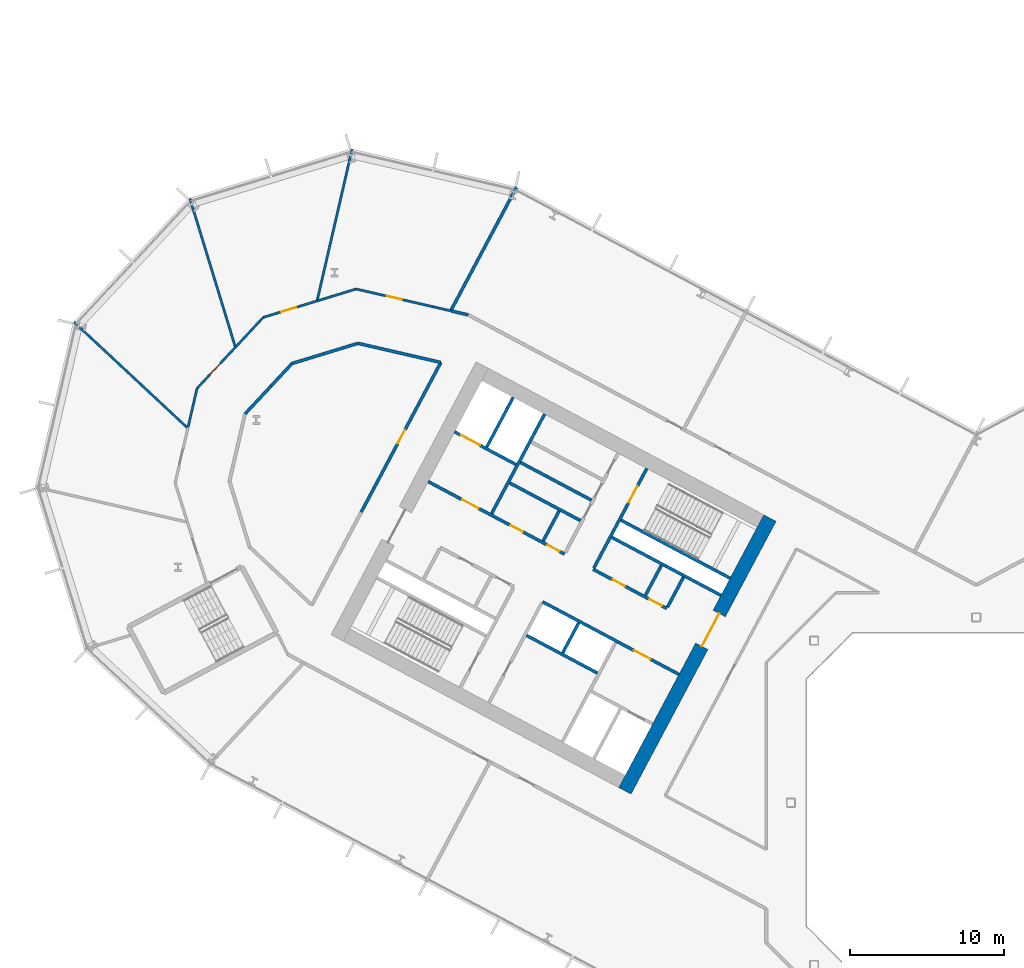
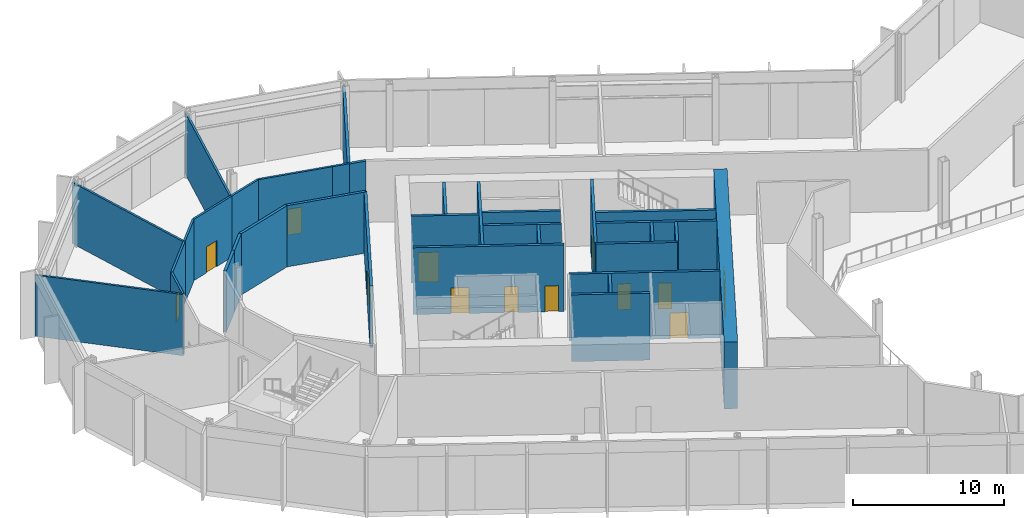
# One storey, part 13 of 30: 34 walls, 13 doors, 13 openings.
"""IFC4 building model written with IfcOpenShell, lengths in metres."""

from ifc_helpers import new_model, si_unit, direction, frame, frame_2d, origin, place, context, subcontext, project, spatial, rectangle, extrude, material, layer, layer_set, type_object, element, fill, save


model = new_model("IFC4")

# Units and contexts
model_context = context("Model", 3, precision=1e-05, world=origin(), true_north=direction((0.0, 1.0)))
body_context = subcontext(model_context, "Body", "Model", "MODEL_VIEW")
ifc_project = project(units=[si_unit("LENGTHUNIT", "METRE"), si_unit("AREAUNIT", "SQUARE_METRE"), si_unit("VOLUMEUNIT", "CUBIC_METRE"), si_unit("PLANEANGLEUNIT", "RADIAN"), si_unit("MASSUNIT", "GRAM", prefix="KILO")], contexts=[model_context])

# Site, building, storey
site_placement = place(None, origin())
site = spatial("IfcSite", under=ifc_project, at=site_placement, CompositionType="ELEMENT")
building_placement = place(site_placement, origin())
building = spatial("IfcBuilding", under=site, at=building_placement, Name="Cormorant Relay Tower", CompositionType="ELEMENT")
storey_placement = place(building_placement, frame((0.0, 0.0, 55.39990234375)))
storey = spatial("IfcBuildingStorey", under=building, at=storey_placement, Name="L10", CompositionType="ELEMENT", Elevation=55.39990234375)

# Walls
ifc_material_1 = material(Name="Concrete 40 MPa", Category="concrete")
ifc_layer_1 = layer(ifc_material_1, 0.199951171875)
ifc_layer_set_1 = layer_set([ifc_layer_1], Name="Core internal wall 200")
wall_type_1 = type_object("IfcWallType", Name="Core internal wall 200", PredefinedType="SOLIDWALL", material=ifc_layer_set_1)
wall_1_placement = place(storey_placement, frame((-20.39013671875, 15.371826171875, 0.0), z_axis=(0.0, 0.0, 1.0), x_axis=(-0.4694473164, -0.882960484464, 0.0)))
element("IfcWall", 1, at=wall_1_placement, inside=storey, type_object=wall_type_1, Name="L10 core A shaft and room wall", PredefinedType="SOLIDWALL", context=body_context, shape_type="SweptSolid", body=[
    extrude(rectangle(XDim=2.199951171875, YDim=0.199951171875, at=frame_2d((1.10009765625, 0.0))), origin(), (0.0, 0.0, 1.0), 5.400146484375),
])
wall_2_placement = place(storey_placement, frame((-25.744140625, 11.64990234375, 0.0), z_axis=(0.0, 0.0, 1.0), x_axis=(-0.469487830541, -0.882938942948, 0.0)))
element("IfcWall", 2, at=wall_2_placement, inside=storey, type_object=wall_type_1, Name="L10 core A shaft and room wall", PredefinedType="SOLIDWALL", context=body_context, shape_type="SweptSolid", body=[
    extrude(rectangle(XDim=2.2001953125, YDim=0.199951171875, at=frame_2d((1.10009765625, 0.0))), origin(), (0.0, 0.0, 1.0), 5.400146484375),
])
wall_3_placement = place(storey_placement, frame((-27.01220703125, 18.892822265625, 0.0), z_axis=(0.0, 0.0, 1.0), x_axis=(-0.4694473164, -0.882960484464, 0.0)))
element("IfcWall", 3, at=wall_3_placement, inside=storey, type_object=wall_type_1, Name="L10 core A shaft and room wall", PredefinedType="SOLIDWALL", context=body_context, shape_type="SweptSolid", body=[
    extrude(rectangle(XDim=2.199951171875, YDim=0.199951171875, at=frame_2d((1.10009765625, 0.0))), origin(), (0.0, 0.0, 1.0), 5.400146484375),
])
wall_4_placement = place(storey_placement, frame((-24.9189453125, 19.592041015625, 0.0), z_axis=(0.0, 0.0, 1.0), x_axis=(-0.882953967957, 0.469459572775, 0.0)))
element("IfcWall", 4, at=wall_4_placement, inside=storey, type_object=wall_type_1, Name="L10 core A shaft and room wall", PredefinedType="SOLIDWALL", context=body_context, shape_type="SweptSolid", body=[
    extrude(rectangle(XDim=5.199951171875, YDim=0.199951171875, at=frame_2d((2.60009765625, 0.0))), origin(), (0.0, 0.0, 1.0), 5.400146484375),
])
ifc_material_2 = material(Name="Concrete 50 MPa", Category="concrete")
ifc_layer_2 = layer(ifc_material_2, 0.199951171875)
ifc_layer_set_2 = layer_set([ifc_layer_2], Name="Core shaft wall 200")
wall_type_2 = type_object("IfcWallType", Name="Core shaft wall 200", PredefinedType="SHEAR", material=ifc_layer_set_2)
wall_5_placement = place(storey_placement, frame((-18.959716796875, 14.611328125, 0.0), z_axis=(0.0, 0.0, 1.0), x_axis=(-0.4694473164, -0.882960484464, 0.0)))
element("IfcWall", 5, at=wall_5_placement, inside=storey, type_object=wall_type_2, Name="L10 core A shaft wall", PredefinedType="SHEAR", context=body_context, shape_type="SweptSolid", body=[
    extrude(rectangle(XDim=2.199951171875, YDim=0.199951171875, at=frame_2d((1.10009765625, 0.0))), origin(), (0.0, 0.0, 1.0), 5.400146484375),
])

# Wall, opening, door
wall_6_placement = place(storey_placement, frame((-21.333251953125, 21.6494140625, 0.0), z_axis=(0.0, 0.0, 1.0), x_axis=(-0.469494272526, -0.882935517501, 0.0)))
wall_6 = element("IfcWall", 6, at=wall_6_placement, inside=storey, type_object=wall_type_2, Name="L10 core A shaft wall", PredefinedType="SHEAR", context=body_context, shape_type="SweptSolid", body=[
    extrude(rectangle(XDim=7.2998046875, YDim=0.199951171875, at=frame_2d((3.64990234375, 0.0))), origin(), (0.0, 0.0, 1.0), 5.400146484375),
])
opening_1_placement = place(wall_6_placement, frame((1.300048828125, 0.0, 0.0)))
opening_1 = element("IfcOpeningElement", 7, at=opening_1_placement, cuts=wall_6, Name="Opening CDB-019", PredefinedType="OPENING", context=body_context, shape_type="SweptSolid", body=[
    extrude(rectangle(XDim=1.199951171875, YDim=2.10009765625, at=frame_2d((0.60009765625, 1.050048828125))), frame((0.0, 0.10986328125, 0.0), z_axis=(0.0, -1.0, 0.0), x_axis=(1.0, 0.0, 0.0)), (0.0, 0.0, 1.0), 0.219970703125),
])
ifc_material_3 = material(Name="Steel fire door", Category="steel")
door_type_1 = type_object("IfcDoorType", Name="Core stair door 1200x2100", OperationType="SINGLE_SWING_LEFT", PredefinedType="DOOR", material=ifc_material_3)
door_1_placement = place(opening_1_placement, origin())
door_1 = element("IfcDoor", 8, at=door_1_placement, inside=storey, type_object=door_type_1, Name="Core stair door 1200x2100", OperationType="SINGLE_SWING_RIGHT", OverallHeight=2.10009765625, OverallWidth=1.199951171875, PredefinedType="DOOR", context=body_context, shape_type="SweptSolid", body=[
    extrude(rectangle(XDim=1.199951171875, YDim=2.10009765625, at=frame_2d((0.60009765625, 1.050048828125))), frame((0.0, 0.02490234375, 0.0), z_axis=(0.0, -1.0, 0.0), x_axis=(1.0, 0.0, 0.0)), (0.0, 0.0, 1.0), 0.050048828125),
])
fill(opening_1, door_1)

# Walls
wall_7_placement = place(storey_placement, frame((-27.955322265625, 25.170654296875, 0.0), z_axis=(0.0, 0.0, 1.0), x_axis=(-0.469480409012, -0.88294288918, 0.0)))
element("IfcWall", 9, at=wall_7_placement, inside=storey, type_object=wall_type_2, Name="L10 core A shaft wall", PredefinedType="SHEAR", context=body_context, shape_type="SweptSolid", body=[
    extrude(rectangle(XDim=7.300048828125, YDim=0.199951171875, at=frame_2d((3.64990234375, 0.0))), origin(), (0.0, 0.0, 1.0), 5.400146484375),
])
wall_8_placement = place(storey_placement, frame((-29.986083984375, 26.250244140625, 0.0), z_axis=(0.0, 0.0, 1.0), x_axis=(-0.469494272526, -0.882935517501, 0.0)))
element("IfcWall", 10, at=wall_8_placement, inside=storey, type_object=wall_type_2, Name="L10 core A shaft wall", PredefinedType="SHEAR", context=body_context, shape_type="SweptSolid", body=[
    extrude(rectangle(XDim=3.64990234375, YDim=0.199951171875, at=frame_2d((1.824951171875, 0.0))), origin(), (0.0, 0.0, 1.0), 5.400146484375),
])
wall_9_placement = place(storey_placement, frame((-15.94189453125, 14.53564453125, 0.0), z_axis=(0.0, 0.0, 1.0), x_axis=(-0.882946947542, 0.469472776449, 0.0)))
element("IfcWall", 11, at=wall_9_placement, inside=storey, type_object=wall_type_2, Name="L10 core A shaft wall", PredefinedType="SHEAR", context=body_context, shape_type="SweptSolid", body=[
    extrude(rectangle(XDim=8.000244140625, YDim=0.199951171875, at=frame_2d((4.0, 0.0))), origin(), (0.0, 0.0, 1.0), 5.400146484375),
])

# Wall, opening, door
wall_10_placement = place(storey_placement, frame((-29.80419921875, 21.906494140625, 0.0), z_axis=(0.0, 0.0, 1.0), x_axis=(-0.882960433586, 0.469447412093, 0.0)))
wall_10 = element("IfcWall", 12, at=wall_10_placement, inside=storey, type_object=wall_type_2, Name="L10 core A shaft wall", PredefinedType="SHEAR", context=body_context, shape_type="SweptSolid", body=[
    extrude(rectangle(XDim=4.5, YDim=0.199951171875, at=frame_2d((2.25, 0.0))), origin(), (0.0, 0.0, 1.0), 5.400146484375),
])
opening_2_placement = place(wall_10_placement, frame((2.64990234375, 0.0, 0.0)))
opening_2 = element("IfcOpeningElement", 13, at=opening_2_placement, cuts=wall_10, Name="Opening LD3-007", PredefinedType="OPENING", context=body_context, shape_type="SweptSolid", body=[
    extrude(rectangle(XDim=1.39990234375, YDim=2.39990234375, at=frame_2d((0.699951171875, 1.199951171875))), frame((0.0, 0.10986328125, 0.0), z_axis=(0.0, -1.0, 0.0), x_axis=(1.0, 0.0, 0.0)), (0.0, 0.0, 1.0), 0.219970703125),
])
ifc_material_4 = material(Name="Stainless steel 316", Category="steel")
door_type_2 = type_object("IfcDoorType", Name="Lift landing door 1400x2400", OperationType="DOUBLE_DOOR_SLIDING", PredefinedType="DOOR", material=ifc_material_4)
door_2_placement = place(opening_2_placement, origin())
door_2 = element("IfcDoor", 14, at=door_2_placement, inside=storey, type_object=door_type_2, Name="SV1 landing door", OperationType="DOUBLE_DOOR_SLIDING", OverallHeight=2.39990234375, OverallWidth=1.39990234375, PredefinedType="DOOR", context=body_context, shape_type="SweptSolid", body=[
    extrude(rectangle(XDim=1.39990234375, YDim=2.39990234375, at=frame_2d((0.699951171875, 1.199951171875))), frame((0.0, 0.02490234375, 0.0), z_axis=(0.0, -1.0, 0.0), x_axis=(1.0, 0.0, 0.0)), (0.0, 0.0, 1.0), 0.050048828125),
])
fill(opening_2, door_2)

# Walls
wall_11_placement = place(storey_placement, frame((-16.52880859375, 13.43212890625, 0.0), z_axis=(0.0, 0.0, 1.0), x_axis=(-0.88295287151, 0.469461634952, 0.0)))
element("IfcWall", 15, at=wall_11_placement, inside=storey, type_object=wall_type_2, Name="L10 core A shaft wall", PredefinedType="SHEAR", context=body_context, shape_type="SweptSolid", body=[
    extrude(rectangle(XDim=7.999755859375, YDim=0.199951171875, at=frame_2d((4.0, 0.0))), origin(), (0.0, 0.0, 1.0), 5.400146484375),
])
wall_12_placement = place(storey_placement, frame((-25.623046875, 18.267578125, 0.0), z_axis=(0.0, 0.0, 1.0), x_axis=(-0.882953967957, 0.469459572775, 0.0)))
element("IfcWall", 16, at=wall_12_placement, inside=storey, type_object=wall_type_2, Name="L10 core A shaft wall", PredefinedType="SHEAR", context=body_context, shape_type="SweptSolid", body=[
    extrude(rectangle(XDim=5.199951171875, YDim=0.199951171875, at=frame_2d((2.60009765625, 0.0))), origin(), (0.0, 0.0, 1.0), 5.400146484375),
])

# Wall, openings, doors
wall_13_placement = place(storey_placement, frame((-20.03955078125, 12.58056640625, 0.0), z_axis=(0.0, 0.0, 1.0), x_axis=(-0.882942972946, 0.469480251476, 0.0)))
wall_13 = element("IfcWall", 17, at=wall_13_placement, inside=storey, type_object=wall_type_2, Name="L10 core A shaft wall", PredefinedType="SHEAR", context=body_context, shape_type="SweptSolid", body=[
    extrude(rectangle(XDim=5.39990234375, YDim=0.199951171875, at=frame_2d((2.699951171875, 0.0))), origin(), (0.0, 0.0, 1.0), 5.400146484375),
])
opening_3_placement = place(wall_13_placement, frame((0.360107421875, 0.0, 0.0)))
opening_3 = element("IfcOpeningElement", 18, at=opening_3_placement, cuts=wall_13, Name="Opening CDD-065", PredefinedType="OPENING", context=body_context, shape_type="SweptSolid", body=[
    extrude(rectangle(XDim=0.89990234375, YDim=2.10009765625, at=frame_2d((0.449951171875, 1.050048828125))), frame((0.0, 0.10986328125, 0.0), z_axis=(0.0, -1.0, 0.0), x_axis=(1.0, 0.0, 0.0)), (0.0, 0.0, 1.0), 0.219970703125),
])
opening_4_placement = place(wall_13_placement, frame((3.06005859375, 0.0, 0.0)))
opening_4 = element("IfcOpeningElement", 19, at=opening_4_placement, cuts=wall_13, Name="Opening CDD-066", PredefinedType="OPENING", context=body_context, shape_type="SweptSolid", body=[
    extrude(rectangle(XDim=0.89990234375, YDim=2.10009765625, at=frame_2d((0.449951171875, 1.050048828125))), frame((0.0, 0.10986328125, 0.0), z_axis=(0.0, -1.0, 0.0), x_axis=(1.0, 0.0, 0.0)), (0.0, 0.0, 1.0), 0.219970703125),
])
ifc_material_5 = material(Name="Steel fire door", Category="steel")
door_type_3 = type_object("IfcDoorType", Name="Core room door 900x2100", OperationType="SINGLE_SWING_LEFT", PredefinedType="DOOR", material=ifc_material_5)
door_3_placement = place(opening_3_placement, frame((0.89990234375, 0.0, 0.0), z_axis=(0.0, 0.0, 1.0), x_axis=(-1.0, 0.0, 0.0)))
door_3 = element("IfcDoor", 20, at=door_3_placement, inside=storey, type_object=door_type_3, Name="Core room door 900x2100", OperationType="SINGLE_SWING_RIGHT", OverallHeight=2.10009765625, OverallWidth=0.89990234375, PredefinedType="DOOR", context=body_context, shape_type="SweptSolid", body=[
    extrude(rectangle(XDim=0.89990234375, YDim=2.10009765625, at=frame_2d((0.449951171875, 1.050048828125))), frame((0.0, 0.02490234375, 0.0), z_axis=(0.0, -1.0, 0.0), x_axis=(1.0, 0.0, 0.0)), (0.0, 0.0, 1.0), 0.050048828125),
])
fill(opening_3, door_3)
door_4_placement = place(opening_4_placement, frame((0.89990234375, 0.0, 0.0), z_axis=(0.0, 0.0, 1.0), x_axis=(-1.0, 0.0, 0.0)))
door_4 = element("IfcDoor", 21, at=door_4_placement, inside=storey, type_object=door_type_3, Name="Core room door 900x2100", OperationType="SINGLE_SWING_RIGHT", OverallHeight=2.10009765625, OverallWidth=0.89990234375, PredefinedType="DOOR", context=body_context, shape_type="SweptSolid", body=[
    extrude(rectangle(XDim=0.89990234375, YDim=2.10009765625, at=frame_2d((0.449951171875, 1.050048828125))), frame((0.0, 0.02490234375, 0.0), z_axis=(0.0, -1.0, 0.0), x_axis=(1.0, 0.0, 0.0)), (0.0, 0.0, 1.0), 0.050048828125),
])
fill(opening_4, door_4)

wall_14_placement = place(storey_placement, frame((-26.66162109375, 16.1015625, 0.0), z_axis=(0.0, 0.0, 1.0), x_axis=(-0.882940221191, 0.469485426614, 0.0)))
wall_14 = element("IfcWall", 22, at=wall_14_placement, inside=storey, type_object=wall_type_2, Name="L10 core A shaft wall", PredefinedType="SHEAR", context=body_context, shape_type="SweptSolid", body=[
    extrude(rectangle(XDim=10.0, YDim=0.199951171875, at=frame_2d((5.0, 0.0))), origin(), (0.0, 0.0, 1.0), 5.400146484375),
])
opening_5_placement = place(wall_14_placement, frame((6.300048828125, 0.0, 0.0)))
opening_5 = element("IfcOpeningElement", 23, at=opening_5_placement, cuts=wall_14, Name="Opening CDC-014", PredefinedType="OPENING", context=body_context, shape_type="SweptSolid", body=[
    extrude(rectangle(XDim=1.199951171875, YDim=2.10009765625, at=frame_2d((0.60009765625, 1.050048828125))), frame((0.0, 0.10986328125, 0.0), z_axis=(0.0, -1.0, 0.0), x_axis=(1.0, 0.0, 0.0)), (0.0, 0.0, 1.0), 0.219970703125),
])
opening_6_placement = place(wall_14_placement, frame((0.360107421875, 0.0, 0.0)))
opening_6 = element("IfcOpeningElement", 24, at=opening_6_placement, cuts=wall_14, Name="Opening CDD-095", PredefinedType="OPENING", context=body_context, shape_type="SweptSolid", body=[
    extrude(rectangle(XDim=0.89990234375, YDim=2.10009765625, at=frame_2d((0.449951171875, 1.050048828125))), frame((0.0, 0.10986328125, 0.0), z_axis=(0.0, -1.0, 0.0), x_axis=(1.0, 0.0, 0.0)), (0.0, 0.0, 1.0), 0.219970703125),
])
opening_7_placement = place(wall_14_placement, frame((3.06005859375, 0.0, 0.0)))
opening_7 = element("IfcOpeningElement", 25, at=opening_7_placement, cuts=wall_14, Name="Opening CDD-068", PredefinedType="OPENING", context=body_context, shape_type="SweptSolid", body=[
    extrude(rectangle(XDim=0.89990234375, YDim=2.10009765625, at=frame_2d((0.449951171875, 1.050048828125))), frame((0.0, 0.10986328125, 0.0), z_axis=(0.0, -1.0, 0.0), x_axis=(1.0, 0.0, 0.0)), (0.0, 0.0, 1.0), 0.219970703125),
])
ifc_material_6 = material(Name="Steel fire door", Category="steel")
door_type_4 = type_object("IfcDoorType", Name="Core lobby door 1200x2100", OperationType="SINGLE_SWING_LEFT", PredefinedType="DOOR", material=ifc_material_6)
door_5_placement = place(opening_5_placement, origin())
door_5 = element("IfcDoor", 26, at=door_5_placement, inside=storey, type_object=door_type_4, Name="Core lobby door 1200x2100", OperationType="SINGLE_SWING_LEFT", OverallHeight=2.10009765625, OverallWidth=1.199951171875, PredefinedType="DOOR", context=body_context, shape_type="SweptSolid", body=[
    extrude(rectangle(XDim=1.199951171875, YDim=2.10009765625, at=frame_2d((0.60009765625, 1.050048828125))), frame((0.0, 0.02490234375, 0.0), z_axis=(0.0, -1.0, 0.0), x_axis=(1.0, 0.0, 0.0)), (0.0, 0.0, 1.0), 0.050048828125),
])
fill(opening_5, door_5)
door_6_placement = place(opening_6_placement, frame((0.89990234375, 0.0, 0.0), z_axis=(0.0, 0.0, 1.0), x_axis=(-1.0, 0.0, 0.0)))
door_6 = element("IfcDoor", 27, at=door_6_placement, inside=storey, type_object=door_type_3, Name="Core room door 900x2100", OperationType="SINGLE_SWING_RIGHT", OverallHeight=2.10009765625, OverallWidth=0.89990234375, PredefinedType="DOOR", context=body_context, shape_type="SweptSolid", body=[
    extrude(rectangle(XDim=0.89990234375, YDim=2.10009765625, at=frame_2d((0.449951171875, 1.050048828125))), frame((0.0, 0.02490234375, 0.0), z_axis=(0.0, -1.0, 0.0), x_axis=(1.0, 0.0, 0.0)), (0.0, 0.0, 1.0), 0.050048828125),
])
fill(opening_6, door_6)
door_7_placement = place(opening_7_placement, frame((0.89990234375, 0.0, 0.0), z_axis=(0.0, 0.0, 1.0), x_axis=(-1.0, 0.0, 0.0)))
door_7 = element("IfcDoor", 28, at=door_7_placement, inside=storey, type_object=door_type_3, Name="Core room door 900x2100", OperationType="SINGLE_SWING_RIGHT", OverallHeight=2.10009765625, OverallWidth=0.89990234375, PredefinedType="DOOR", context=body_context, shape_type="SweptSolid", body=[
    extrude(rectangle(XDim=0.89990234375, YDim=2.10009765625, at=frame_2d((0.449951171875, 1.050048828125))), frame((0.0, 0.02490234375, 0.0), z_axis=(0.0, -1.0, 0.0), x_axis=(1.0, 0.0, 0.0)), (0.0, 0.0, 1.0), 0.050048828125),
])
fill(opening_7, door_7)

# Wall, opening, door
wall_15_placement = place(storey_placement, frame((-19.251708984375, 8.31103515625, 0.0), z_axis=(0.0, 0.0, 1.0), x_axis=(-0.882955722218, 0.469456273365, 0.0)))
wall_15 = element("IfcWall", 29, at=wall_15_placement, inside=storey, type_object=wall_type_2, Name="L10 core A shaft wall", PredefinedType="SHEAR", context=body_context, shape_type="SweptSolid", body=[
    extrude(rectangle(XDim=10.0, YDim=0.199951171875, at=frame_2d((5.0, 0.0))), origin(), (0.0, 0.0, 1.0), 5.400146484375),
])
opening_8_placement = place(wall_15_placement, frame((2.10009765625, 0.0, 0.0)))
opening_8 = element("IfcOpeningElement", 30, at=opening_8_placement, cuts=wall_15, Name="Opening CDC-013", PredefinedType="OPENING", context=body_context, shape_type="SweptSolid", body=[
    extrude(rectangle(XDim=1.199951171875, YDim=2.10009765625, at=frame_2d((0.60009765625, 1.050048828125))), frame((0.0, 0.10986328125, 0.0), z_axis=(0.0, -1.0, 0.0), x_axis=(1.0, 0.0, 0.0)), (0.0, 0.0, 1.0), 0.219970703125),
])
door_8_placement = place(opening_8_placement, origin())
door_8 = element("IfcDoor", 31, at=door_8_placement, inside=storey, type_object=door_type_4, Name="Core lobby door 1200x2100", OperationType="SINGLE_SWING_RIGHT", OverallHeight=2.10009765625, OverallWidth=1.199951171875, PredefinedType="DOOR", context=body_context, shape_type="SweptSolid", body=[
    extrude(rectangle(XDim=1.199951171875, YDim=2.10009765625, at=frame_2d((0.60009765625, 1.050048828125))), frame((0.0, 0.02490234375, 0.0), z_axis=(0.0, -1.0, 0.0), x_axis=(1.0, 0.0, 0.0)), (0.0, 0.0, 1.0), 0.050048828125),
])
fill(opening_8, door_8)

# Wall
wall_16_placement = place(storey_placement, frame((-24.5283203125, 8.3984375, 0.0), z_axis=(0.0, 0.0, 1.0), x_axis=(-0.882953967957, 0.469459572775, 0.0)))
element("IfcWall", 32, at=wall_16_placement, inside=storey, type_object=wall_type_2, Name="L10 core A shaft wall", PredefinedType="SHEAR", context=body_context, shape_type="SweptSolid", body=[
    extrude(rectangle(XDim=5.199951171875, YDim=0.199951171875, at=frame_2d((2.60009765625, 0.0))), origin(), (0.0, 0.0, 1.0), 5.400146484375),
])

# Wall, opening, door
ifc_material_7 = material(Name="Concrete 70 MPa", Category="concrete")
ifc_layer_3 = layer(ifc_material_7, 0.89990234375)
ifc_layer_set_3 = layer_set([ifc_layer_3], Name="Core wall 900")
wall_type_3 = type_object("IfcWallType", Name="Core wall 900", PredefinedType="SHEAR", material=ifc_layer_set_3)
wall_17_placement = place(storey_placement, frame((-13.361572265625, 18.43017578125, 0.0), z_axis=(0.0, 0.0, 1.0), x_axis=(-0.46947084998, -0.882947971864, 0.0)))
wall_17 = element("IfcWall", 33, at=wall_17_placement, inside=storey, type_object=wall_type_3, Name="L10 core A wall", PredefinedType="SHEAR", context=body_context, shape_type="SweptSolid", body=[
    extrude(rectangle(XDim=20.0, YDim=0.89990234375, at=frame_2d((10.0, 0.0))), origin(), (0.0, 0.0, 1.0), 5.400146484375),
])
opening_9_placement = place(wall_17_placement, frame((7.0, 0.0, 0.0)))
opening_9 = element("IfcOpeningElement", 34, at=opening_9_placement, cuts=wall_17, Name="Opening CDA-013", PredefinedType="OPENING", context=body_context, shape_type="SweptSolid", body=[
    extrude(rectangle(XDim=2.39990234375, YDim=2.39990234375, at=frame_2d((1.199951171875, 1.199951171875))), frame((0.0, 0.4599609375, 0.0), z_axis=(0.0, -1.0, 0.0), x_axis=(1.0, 0.0, 0.0)), (0.0, 0.0, 1.0), 0.919921875),
])
ifc_material_8 = material(Name="Steel fire door", Category="steel")
door_type_5 = type_object("IfcDoorType", Name="Core lobby door 2400x2400", OperationType="DOUBLE_DOOR_SINGLE_SWING", PredefinedType="DOOR", material=ifc_material_8)
door_9_placement = place(opening_9_placement, frame((2.39990234375, 0.0, 0.0), z_axis=(0.0, 0.0, 1.0), x_axis=(-1.0, 0.0, 0.0)))
door_9 = element("IfcDoor", 35, at=door_9_placement, inside=storey, type_object=door_type_5, Name="Core lobby door 2400x2400", OperationType="DOUBLE_DOOR_SINGLE_SWING", OverallHeight=2.39990234375, OverallWidth=2.39990234375, PredefinedType="DOOR", context=body_context, shape_type="SweptSolid", body=[
    extrude(rectangle(XDim=2.39990234375, YDim=2.39990234375, at=frame_2d((1.199951171875, 1.199951171875))), frame((0.0, 0.02490234375, 0.0), z_axis=(0.0, -1.0, 0.0), x_axis=(1.0, 0.0, 0.0)), (0.0, 0.0, 1.0), 0.050048828125),
])
fill(opening_9, door_9)

# Walls
ifc_material_9 = material(Name="Fire-rated gypsum board partition")
ifc_layer_4 = layer(ifc_material_9, 0.199951171875)
ifc_layer_set_4 = layer_set([ifc_layer_4], Name="Fire-rated gypsum partition 200")
wall_type_4 = type_object("IfcWallType", Name="Fire-rated gypsum partition 200", PredefinedType="PARTITIONING", material=ifc_layer_set_4)
wall_18_placement = place(storey_placement, frame((-47.35107421875, 25.177001953125, 0.0), z_axis=(0.0, 0.0, 1.0), x_axis=(0.681950982626, 0.731397878925, 0.0)))
element("IfcWall", 36, at=wall_18_placement, inside=storey, type_object=wall_type_4, Name="wall/L10/part/13", PredefinedType="PARTITIONING", context=body_context, shape_type="SweptSolid", body=[
    extrude(rectangle(XDim=2.4638671875, YDim=0.199951171875, at=frame_2d((1.23193359375, 0.0))), origin(), (0.0, 0.0, 1.0), 4.9501953125),
])
wall_19_placement = place(storey_placement, frame((-40.033935546875, 29.7490234375, 0.0), z_axis=(0.0, 0.0, 1.0), x_axis=(-0.956357512161, -0.29219909126, 0.0)))
element("IfcWall", 37, at=wall_19_placement, inside=storey, type_object=wall_type_4, Name="wall/L10/part/19", PredefinedType="PARTITIONING", context=body_context, shape_type="SweptSolid", body=[
    extrude(rectangle(XDim=4.4658203125, YDim=0.199951171875, at=frame_2d((2.23291015625, 0.0))), origin(), (0.0, 0.0, 1.0), 4.9501953125),
])
wall_20_placement = place(storey_placement, frame((-44.304931640625, 28.444091796875, 0.0), z_axis=(0.0, 0.0, 1.0), x_axis=(-0.681931663517, -0.731415891469, 0.0)))
element("IfcWall", 38, at=wall_20_placement, inside=storey, type_object=wall_type_4, Name="wall/L10/part/20", PredefinedType="PARTITIONING", context=body_context, shape_type="SweptSolid", body=[
    extrude(rectangle(XDim=2.003173828125, YDim=0.199951171875, at=frame_2d((1.00146484375, 0.0))), origin(), (0.0, 0.0, 1.0), 4.9501953125),
])
wall_21_placement = place(storey_placement, frame((-34.673095703125, 28.511962890625, 0.0), z_axis=(0.0, 0.0, 1.0), x_axis=(-0.974393439342, 0.224849784003, 0.0)))
element("IfcWall", 39, at=wall_21_placement, inside=storey, type_object=wall_type_4, Name="wall/L10/part/27", PredefinedType="PARTITIONING", context=body_context, shape_type="SweptSolid", body=[
    extrude(rectangle(XDim=5.501708984375, YDim=0.199951171875, at=frame_2d((2.7509765625, 0.0))), origin(), (0.0, 0.0, 1.0), 4.9501953125),
])

# Wall, opening, door
wall_22_placement = place(storey_placement, frame((-34.673095703125, 28.511962890625, 0.0), z_axis=(0.0, 0.0, 1.0), x_axis=(-0.469440333182, -0.882964197226, 0.0)))
wall_22 = element("IfcWall", 40, at=wall_22_placement, inside=storey, type_object=wall_type_4, Name="wall/L10/part/28", PredefinedType="PARTITIONING", context=body_context, shape_type="SweptSolid", body=[
    extrude(rectangle(XDim=10.9765625, YDim=0.199951171875, at=frame_2d((5.48828125, 0.0))), origin(), (0.0, 0.0, 1.0), 4.9501953125),
])
opening_10_placement = place(wall_22_placement, frame((4.949951171875, 0.0, 0.0)))
opening_10 = element("IfcOpeningElement", 41, at=opening_10_placement, cuts=wall_22, Name="Opening FD1-047", PredefinedType="OPENING", context=body_context, shape_type="SweptSolid", body=[
    extrude(rectangle(XDim=1.0, YDim=2.10009765625, at=frame_2d((0.5, 1.050048828125))), frame((0.0, 0.10986328125, 0.0), z_axis=(0.0, -1.0, 0.0), x_axis=(1.0, 0.0, 0.0)), (0.0, 0.0, 1.0), 0.219970703125),
])
ifc_material_10 = material(Name="Fire-rated steel door", Category="steel")
door_type_6 = type_object("IfcDoorType", Name="Fire door 1000 x 2100", OperationType="SINGLE_SWING_LEFT", PredefinedType="DOOR", material=ifc_material_10)
door_10_placement = place(opening_10_placement, frame((1.0, 0.0, 0.0), z_axis=(0.0, 0.0, 1.0), x_axis=(-1.0, 0.0, 0.0)))
door_10 = element("IfcDoor", 42, at=door_10_placement, inside=storey, type_object=door_type_6, Name="door/L10/1", OperationType="SINGLE_SWING_RIGHT", OverallHeight=2.10009765625, OverallWidth=1.0, PredefinedType="DOOR", context=body_context, shape_type="SweptSolid", body=[
    extrude(rectangle(XDim=1.0, YDim=2.10009765625, at=frame_2d((0.5, 1.050048828125))), frame((0.0, 0.02490234375, 0.0), z_axis=(0.0, -1.0, 0.0), x_axis=(1.0, 0.0, 0.0)), (0.0, 0.0, 1.0), 0.050048828125),
])
fill(opening_10, door_10)

# Walls
wall_23_placement = place(storey_placement, frame((-29.779052734375, 39.845947265625, 0.0), z_axis=(0.0, 0.0, 1.0), x_axis=(-0.469479235169, -0.882943513338, 0.0)))
element("IfcWall", 43, at=wall_23_placement, inside=storey, type_object=wall_type_4, Name="wall/L10/part/30", PredefinedType="PARTITIONING", context=body_context, shape_type="SweptSolid", body=[
    extrude(rectangle(XDim=9.052490234375, YDim=0.199951171875, at=frame_2d((4.5263671875, 0.0))), origin(), (0.0, 0.0, 1.0), 4.9501953125),
])
wall_24_placement = place(storey_placement, frame((-32.89404296875, 31.590087890625, 0.0), z_axis=(0.0, 0.0, 1.0), x_axis=(-0.97437296606, 0.22493848717, 0.0)))
element("IfcWall", 44, at=wall_24_placement, inside=storey, type_object=wall_type_4, Name="wall/L10/part/31", PredefinedType="PARTITIONING", context=body_context, shape_type="SweptSolid", body=[
    extrude(rectangle(XDim=1.128662109375, YDim=0.199951171875, at=frame_2d((0.564453125, 0.0))), origin(), (0.0, 0.0, 1.0), 4.9501953125),
])
ifc_material_11 = material(Name="Gypsum board partition")
ifc_layer_5 = layer(ifc_material_11, 0.14990234375)
ifc_layer_set_5 = layer_set([ifc_layer_5], Name="Gypsum board partition 150")
wall_type_5 = type_object("IfcWallType", Name="Gypsum board partition 150", PredefinedType="PARTITIONING", material=ifc_layer_set_5)
wall_25_placement = place(storey_placement, frame((-58.427001953125, 31.125, 0.0), z_axis=(0.0, 0.0, 1.0), x_axis=(0.731473963822, -0.681869371838, 0.0)))
element("IfcWall", 45, at=wall_25_placement, inside=storey, type_object=wall_type_5, Name="wall/L10/part/2", PredefinedType="PARTITIONING", context=body_context, shape_type="SweptSolid", body=[
    extrude(rectangle(XDim=10.079833984375, YDim=0.14990234375, at=frame_2d((5.0400390625, 0.0))), origin(), (0.0, 0.0, 1.0), 4.9501953125),
])

# Wall, opening, door
wall_26_placement = place(storey_placement, frame((-47.93310546875, 29.5380859375, 0.0), z_axis=(0.0, 0.0, 1.0), x_axis=(-0.682088017664, -0.731270084277, 0.0)))
wall_26 = element("IfcWall", 46, at=wall_26_placement, inside=storey, type_object=wall_type_5, Name="wall/L10/part/7", PredefinedType="PARTITIONING", context=body_context, shape_type="SweptSolid", body=[
    extrude(rectangle(XDim=3.703125, YDim=0.14990234375, at=frame_2d((1.8515625, 0.0))), origin(), (0.0, 0.0, 1.0), 4.9501953125),
])
opening_11_placement = place(wall_26_placement, frame((1.486083984375, 0.0, 0.0)))
opening_11 = element("IfcOpeningElement", 47, at=opening_11_placement, cuts=wall_26, Name="Opening D1-019", PredefinedType="OPENING", context=body_context, shape_type="SweptSolid", body=[
    extrude(rectangle(XDim=1.0, YDim=2.10009765625, at=frame_2d((0.5, 1.050048828125))), frame((0.0, 0.0849609375, 0.0), z_axis=(0.0, -1.0, 0.0), x_axis=(1.0, 0.0, 0.0)), (0.0, 0.0, 1.0), 0.169921875),
])
ifc_material_12 = material(Name="Painted steel door", Category="steel")
door_type_7 = type_object("IfcDoorType", Name="Single door 1000 x 2100", OperationType="SINGLE_SWING_LEFT", PredefinedType="DOOR", material=ifc_material_12)
door_11_placement = place(opening_11_placement, frame((1.0, 0.0, 0.0), z_axis=(0.0, 0.0, 1.0), x_axis=(-1.0, 0.0, 0.0)))
door_11 = element("IfcDoor", 48, at=door_11_placement, inside=storey, type_object=door_type_7, Name="door/L10/15", OperationType="SINGLE_SWING_RIGHT", OverallHeight=2.10009765625, OverallWidth=1.0, PredefinedType="DOOR", context=body_context, shape_type="SweptSolid", body=[
    extrude(rectangle(XDim=1.0, YDim=2.10009765625, at=frame_2d((0.5, 1.050048828125))), frame((0.0, 0.02490234375, 0.0), z_axis=(0.0, -1.0, 0.0), x_axis=(1.0, 0.0, 0.0)), (0.0, 0.0, 1.0), 0.050048828125),
])
fill(opening_11, door_11)

# Walls
wall_27_placement = place(storey_placement, frame((-50.458984375, 26.830078125, 0.0), z_axis=(0.0, 0.0, 1.0), x_axis=(-0.225121568864, -0.974330682691, 0.0)))
element("IfcWall", 49, at=wall_27_placement, inside=storey, type_object=wall_type_5, Name="wall/L10/part/8", PredefinedType="PARTITIONING", context=body_context, shape_type="SweptSolid", body=[
    extrude(rectangle(XDim=2.58544921875, YDim=0.14990234375, at=frame_2d((1.292724609375, 0.0))), origin(), (0.0, 0.0, 1.0), 4.9501953125),
])
wall_28_placement = place(storey_placement, frame((-50.922119140625, 39.133056640625, 0.0), z_axis=(0.0, 0.0, 1.0), x_axis=(0.292463432429, -0.956276707178, 0.0)))
element("IfcWall", 50, at=wall_28_placement, inside=storey, type_object=wall_type_5, Name="wall/L10/part/9", PredefinedType="PARTITIONING", context=body_context, shape_type="SweptSolid", body=[
    extrude(rectangle(XDim=10.079833984375, YDim=0.14990234375, at=frame_2d((5.0400390625, 0.0))), origin(), (0.0, 0.0, 1.0), 4.9501953125),
])

# Wall, opening, door
wall_29_placement = place(storey_placement, frame((-42.653076171875, 32.50390625, 0.0), z_axis=(0.0, 0.0, 1.0), x_axis=(-0.95632425254, -0.292307926687, 0.0)))
wall_29 = element("IfcWall", 51, at=wall_29_placement, inside=storey, type_object=wall_type_5, Name="wall/L10/part/17", PredefinedType="PARTITIONING", context=body_context, shape_type="SweptSolid", body=[
    extrude(rectangle(XDim=3.677490234375, YDim=0.14990234375, at=frame_2d((1.8388671875, 0.0))), origin(), (0.0, 0.0, 1.0), 4.9501953125),
])
opening_12_placement = place(wall_29_placement, frame((1.4609375, 0.0, 0.0)))
opening_12 = element("IfcOpeningElement", 52, at=opening_12_placement, cuts=wall_29, Name="Opening D1-018", PredefinedType="OPENING", context=body_context, shape_type="SweptSolid", body=[
    extrude(rectangle(XDim=1.0, YDim=2.10009765625, at=frame_2d((0.5, 1.050048828125))), frame((0.0, 0.0849609375, 0.0), z_axis=(0.0, -1.0, 0.0), x_axis=(1.0, 0.0, 0.0)), (0.0, 0.0, 1.0), 0.169921875),
])
door_12_placement = place(opening_12_placement, frame((1.0, 0.0, 0.0), z_axis=(0.0, 0.0, 1.0), x_axis=(-1.0, 0.0, 0.0)))
door_12 = element("IfcDoor", 53, at=door_12_placement, inside=storey, type_object=door_type_7, Name="door/L10/14", OperationType="SINGLE_SWING_RIGHT", OverallHeight=2.10009765625, OverallWidth=1.0, PredefinedType="DOOR", context=body_context, shape_type="SweptSolid", body=[
    extrude(rectangle(XDim=1.0, YDim=2.10009765625, at=frame_2d((0.5, 1.050048828125))), frame((0.0, 0.02490234375, 0.0), z_axis=(0.0, -1.0, 0.0), x_axis=(1.0, 0.0, 0.0)), (0.0, 0.0, 1.0), 0.050048828125),
])
fill(opening_12, door_12)

# Walls
wall_30_placement = place(storey_placement, frame((-46.169921875, 31.428955078125, 0.0), z_axis=(0.0, 0.0, 1.0), x_axis=(-0.68198172509, -0.731369213628, 0.0)))
element("IfcWall", 54, at=wall_30_placement, inside=storey, type_object=wall_type_5, Name="wall/L10/part/18", PredefinedType="PARTITIONING", context=body_context, shape_type="SweptSolid", body=[
    extrude(rectangle(XDim=2.58544921875, YDim=0.14990234375, at=frame_2d((1.292724609375, 0.0))), origin(), (0.0, 0.0, 1.0), 4.9501953125),
])
wall_31_placement = place(storey_placement, frame((-40.4189453125, 42.31494140625, 0.0), z_axis=(0.0, 0.0, 1.0), x_axis=(-0.224924959868, -0.974376088802, 0.0)))
element("IfcWall", 55, at=wall_31_placement, inside=storey, type_object=wall_type_5, Name="wall/L10/part/24", PredefinedType="PARTITIONING", context=body_context, shape_type="SweptSolid", body=[
    extrude(rectangle(XDim=10.079345703125, YDim=0.14990234375, at=frame_2d((5.03955078125, 0.0))), origin(), (0.0, 0.0, 1.0), 4.9501953125),
])
wall_32_placement = place(storey_placement, frame((-40.156005859375, 33.26708984375, 0.0), z_axis=(0.0, 0.0, 1.0), x_axis=(-0.956331245239, -0.292285048164, 0.0)))
element("IfcWall", 56, at=wall_32_placement, inside=storey, type_object=wall_type_5, Name="wall/L10/part/25", PredefinedType="PARTITIONING", context=body_context, shape_type="SweptSolid", body=[
    extrude(rectangle(XDim=2.611083984375, YDim=0.14990234375, at=frame_2d((1.3056640625, 0.0))), origin(), (0.0, 0.0, 1.0), 4.9501953125),
])

# Wall, opening, door
wall_33_placement = place(storey_placement, frame((-40.156982421875, 33.26708984375, 0.0), z_axis=(0.0, 0.0, 1.0), x_axis=(0.974407195754, -0.224790161846, 0.0)))
wall_33 = element("IfcWall", 57, at=wall_33_placement, inside=storey, type_object=wall_type_5, Name="wall/L10/part/26", PredefinedType="PARTITIONING", context=body_context, shape_type="SweptSolid", body=[
    extrude(rectangle(XDim=5.142578125, YDim=0.14990234375, at=frame_2d((2.5712890625, 0.0))), origin(), (0.0, 0.0, 1.0), 4.9501953125),
])
opening_13_placement = place(wall_33_placement, frame((2.050048828125, 0.0, 0.0)))
opening_13 = element("IfcOpeningElement", 58, at=opening_13_placement, cuts=wall_33, Name="Opening D1-017", PredefinedType="OPENING", context=body_context, shape_type="SweptSolid", body=[
    extrude(rectangle(XDim=1.0, YDim=2.10009765625, at=frame_2d((0.5, 1.050048828125))), frame((0.0, 0.0849609375, 0.0), z_axis=(0.0, -1.0, 0.0), x_axis=(1.0, 0.0, 0.0)), (0.0, 0.0, 1.0), 0.169921875),
])
door_13_placement = place(opening_13_placement, origin())
door_13 = element("IfcDoor", 59, at=door_13_placement, inside=storey, type_object=door_type_7, Name="door/L10/13", OperationType="SINGLE_SWING_RIGHT", OverallHeight=2.10009765625, OverallWidth=1.0, PredefinedType="DOOR", context=body_context, shape_type="SweptSolid", body=[
    extrude(rectangle(XDim=1.0, YDim=2.10009765625, at=frame_2d((0.5, 1.050048828125))), frame((0.0, 0.02490234375, 0.0), z_axis=(0.0, -1.0, 0.0), x_axis=(1.0, 0.0, 0.0)), (0.0, 0.0, 1.0), 0.050048828125),
])
fill(opening_13, door_13)

# Wall
wall_34_placement = place(storey_placement, frame((-35.14599609375, 32.111083984375, 0.0), z_axis=(0.0, 0.0, 1.0), x_axis=(0.974164552701, -0.225839377125, 0.0)))
element("IfcWall", 60, at=wall_34_placement, inside=storey, type_object=wall_type_5, Name="wall/L10/part/29", PredefinedType="PARTITIONING", context=body_context, shape_type="SweptSolid", body=[
    extrude(rectangle(XDim=1.1826171875, YDim=0.14990234375, at=frame_2d((0.59130859375, 0.0))), origin(), (0.0, 0.0, 1.0), 4.9501953125),
])

save(model, "model.ifc")
